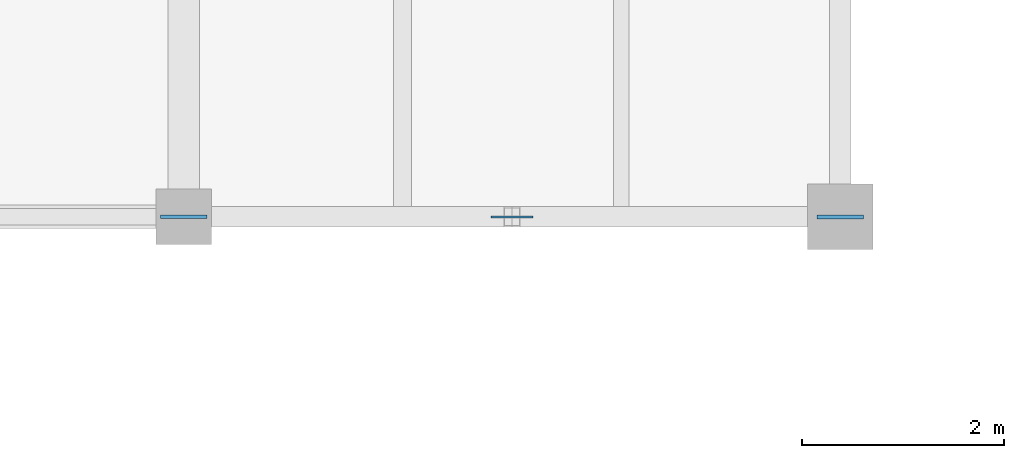
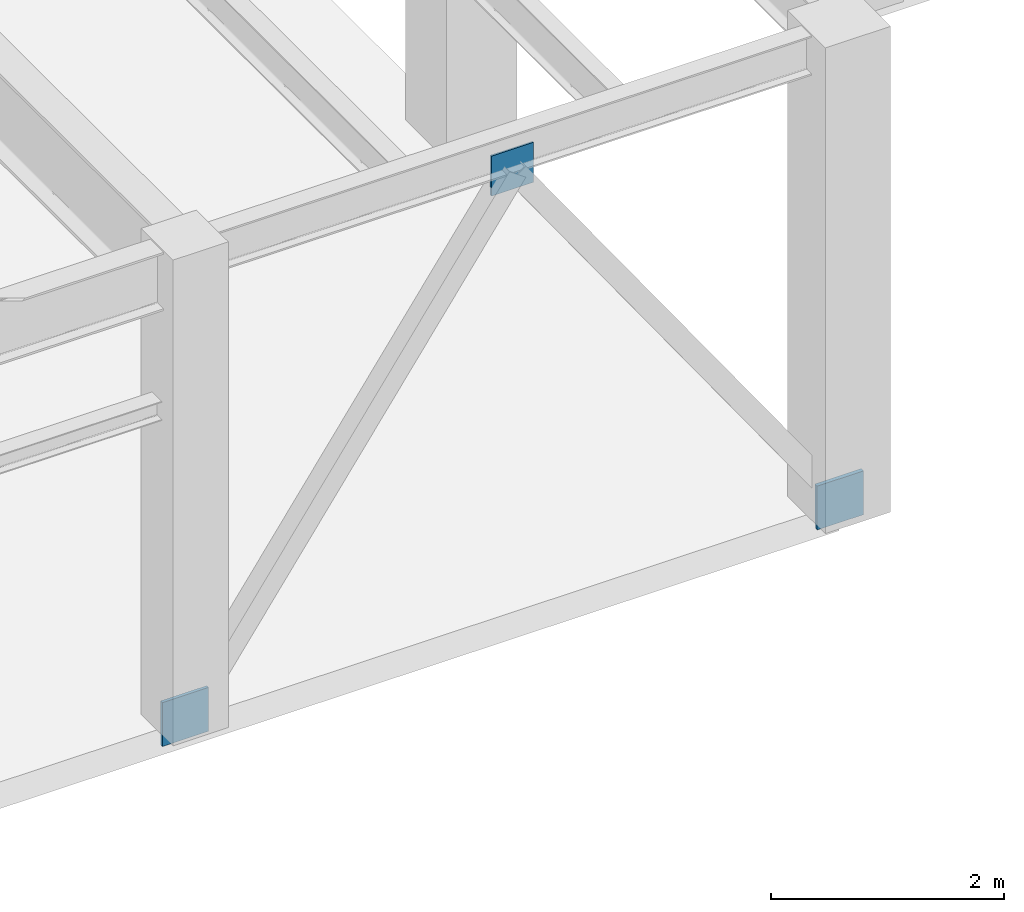
# One storey, part 167 of 203: 3 plates.
"""IFC4 building model written with IfcOpenShell, lengths in metres."""

from ifc_helpers import new_model, si_unit, direction, frame, origin, origin_2d, place, context, subcontext, project, spatial, rectangle, extrude, material, layer, layer_set, type_object, element, save


model = new_model("IFC4")

# Units and contexts
model_context = context("Model", 3, precision=1e-05, world=origin(), true_north=direction((0.0, 1.0)))
body_context = subcontext(model_context, "Body", "Model", "MODEL_VIEW")
ifc_project = project(units=[si_unit("LENGTHUNIT", "METRE"), si_unit("AREAUNIT", "SQUARE_METRE"), si_unit("VOLUMEUNIT", "CUBIC_METRE"), si_unit("PLANEANGLEUNIT", "RADIAN"), si_unit("MASSUNIT", "GRAM", prefix="KILO"), si_unit("THERMODYNAMICTEMPERATUREUNIT", "KELVIN"), si_unit("POWERUNIT", "WATT")], contexts=[model_context])

# Site, building, storey
site_placement = place(None, origin())
site = spatial("IfcSite", under=ifc_project, at=site_placement, CompositionType="ELEMENT")
building_placement = place(site_placement, origin())
building = spatial("IfcBuilding", under=site, at=building_placement, Name="Tepalcoro Natatorium and Aquatics Centre", CompositionType="ELEMENT")
storey_placement = place(building_placement, origin())
storey = spatial("IfcBuildingStorey", under=building, at=storey_placement, Name="L00", CompositionType="ELEMENT", Elevation=0.0)

# Plates
ifc_material = material(Name="Plate Steel ASTM A572 Grade 50 (Fy 345 MPa)", Category="steel")
ifc_layer_1 = layer(ifc_material, 0.031982421875)
ifc_layer_set_1 = layer_set([ifc_layer_1], Name="Plate Steel ASTM A572 Grade 50 (Fy 345 MPa)")
plate_type_1 = type_object("IfcPlateType", Name="PL_CAP_32", PredefinedType="USERDEFINED", material=ifc_layer_set_1)
plate_1_placement = place(storey_placement, frame((131.5, 0.0, -0.179931640625), z_axis=(0.0, 0.0, 1.0), x_axis=(1.0, 0.0, 0.0)))
element("IfcPlate", 1, at=plate_1_placement, inside=storey, type_object=plate_type_1, Name="Truss Node Cap Plate BRB_1", ObjectType="CAP PLATE", PredefinedType="USERDEFINED", context=body_context, shape_type="SweptSolid", body=[
    extrude(rectangle(XDim=0.4599609375, YDim=0.031982421875, at=origin_2d()), origin(), (0.0, 0.0, 1.0), 0.4599609375),
])
ifc_layer_2 = layer(ifc_material, 0.02001953125)
ifc_layer_set_2 = layer_set([ifc_layer_2], Name="Plate Steel ASTM A572 Grade 50 (Fy 345 MPa)")
plate_type_2 = type_object("IfcPlateType", Name="PL_GUSSET_20", PredefinedType="USERDEFINED", material=ifc_layer_set_2)
plate_2_placement = place(storey_placement, frame((134.75, 0.0, 4.449951171875), z_axis=(0.0, 0.0, 1.0), x_axis=(1.0, 0.0, 0.0)))
element("IfcPlate", 2, at=plate_2_placement, inside=storey, type_object=plate_type_2, Name="V1 L00 Chevron Gusset Plate GP1", ObjectType="GUSSET PLATE", PredefinedType="USERDEFINED", context=body_context, shape_type="SweptSolid", body=[
    extrude(rectangle(XDim=0.419921875, YDim=0.02001953125, at=origin_2d()), origin(), (0.0, 0.0, 1.0), 0.419921875),
])
ifc_layer_3 = layer(ifc_material, 0.0400390625)
ifc_layer_set_3 = layer_set([ifc_layer_3], Name="Plate Steel ASTM A572 Grade 50 (Fy 345 MPa)")
plate_type_3 = type_object("IfcPlateType", Name="PL_GUSSET_40", PredefinedType="USERDEFINED", material=ifc_layer_set_3)
plate_3_placement = place(storey_placement, frame((138.0, 0.0, -0.179931640625), z_axis=(0.0, 0.0, 1.0), x_axis=(1.0, 0.0, 0.0)))
element("IfcPlate", 3, at=plate_3_placement, inside=storey, type_object=plate_type_3, Name="Truss Node Gusset Plate BRB_1", ObjectType="GUSSET PLATE", PredefinedType="USERDEFINED", context=body_context, shape_type="SweptSolid", body=[
    extrude(rectangle(XDim=0.4599609375, YDim=0.0400390625, at=origin_2d()), origin(), (0.0, 0.0, 1.0), 0.4599609375),
])

save(model, "model.ifc")
